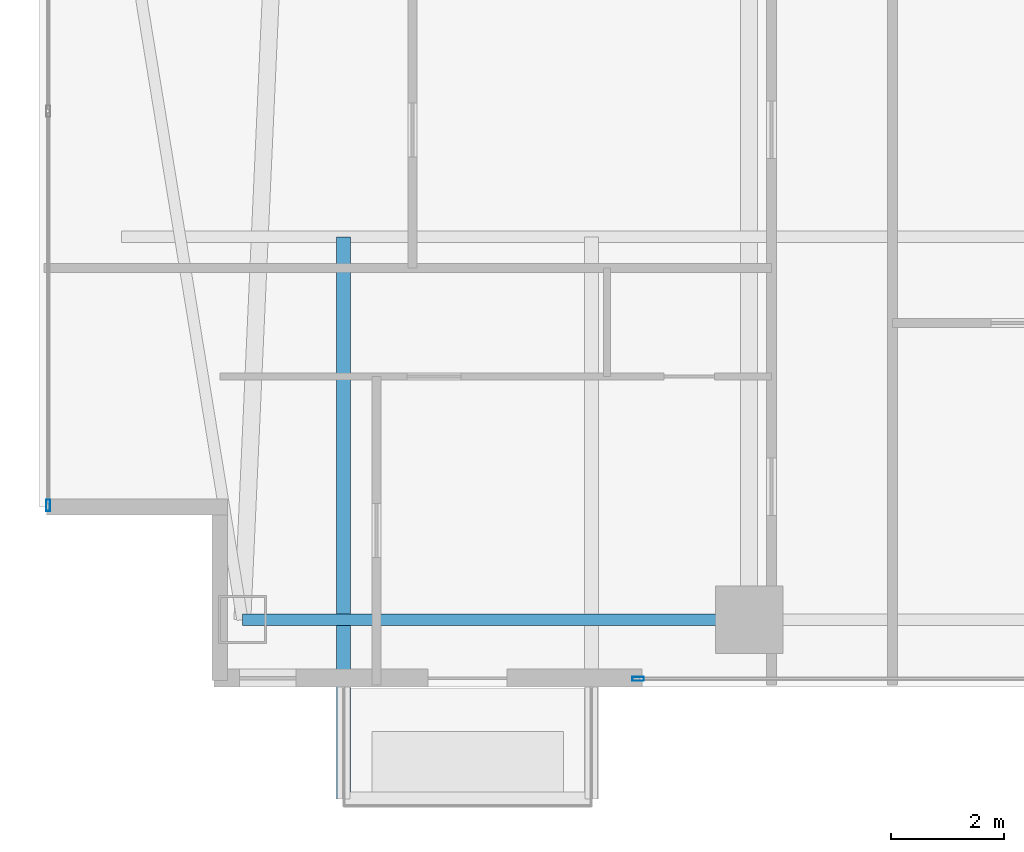
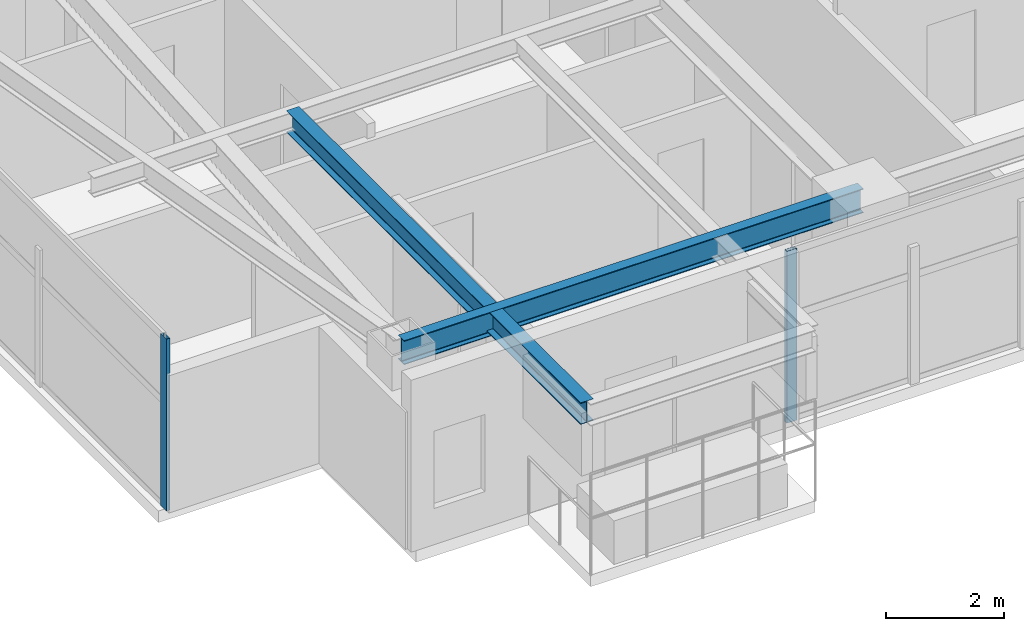
# One storey, part 2 of 29: 2 beams, 2 members, 2 elements without a shape of their own.
"""IFC4 building model written with IfcOpenShell, lengths in metres."""

from ifc_helpers import new_model, si_unit, direction, frame, origin, origin_2d, place, context, subcontext, project, spatial, hollow_rectangle, i_section, extrude, material, layer, layer_set, material_profile, profile_set, type_object, element, aggregate, save


model = new_model("IFC4")

# Units and contexts
model_context = context("Model", 3, precision=1e-05, world=origin(), true_north=direction((0.0, 1.0)))
body_context = subcontext(model_context, "Body", "Model", "MODEL_VIEW")
ifc_project = project(units=[si_unit("LENGTHUNIT", "METRE"), si_unit("AREAUNIT", "SQUARE_METRE"), si_unit("VOLUMEUNIT", "CUBIC_METRE"), si_unit("PLANEANGLEUNIT", "RADIAN"), si_unit("MASSUNIT", "GRAM", prefix="KILO")], contexts=[model_context])

# Site, building, storey
site_placement = place(None, origin())
site = spatial("IfcSite", under=ifc_project, at=site_placement, CompositionType="ELEMENT")
building_placement = place(site_placement, origin())
building = spatial("IfcBuilding", under=site, at=building_placement, Name="Calvorn Quay Hotel", CompositionType="ELEMENT")
storey_placement = place(building_placement, frame((0.0, 0.0, 120.199951171875)))
storey = spatial("IfcBuildingStorey", under=building, at=storey_placement, Name="L29", CompositionType="ELEMENT", Elevation=120.199951171875)

# Beams
ifc_material_1 = material(Name="Steel Q355B", Category="steel")
ifc_material_profile_1 = material_profile(ifc_material_1, i_section(OverallWidth=0.25, OverallDepth=0.449951171875, WebThickness=0.011962890625, FlangeThickness=0.01611328125, FilletRadius=0.01611328125, at=origin_2d()), Name="HN450x250x12x16")
ifc_profile_set_1 = profile_set([ifc_material_profile_1], Name="Steel Q355B")
beam_type_1 = type_object("IfcBeamType", Name="BM-CANT-BALC", PredefinedType="BEAM", material=ifc_profile_set_1)
beam_1_placement = place(storey_placement, frame((5.39990234375, 10.39990234375, 3.31494140625), z_axis=(0.0, -1.0, 0.0), x_axis=(1.0, 0.0, 0.0)))
element("IfcBeam", 1, at=beam_1_placement, inside=storey, type_object=beam_type_1, Name="Cantilever Balcony Beam BCB-L30-2A", PredefinedType="BEAM", context=body_context, shape_type="SweptSolid", body=[
    extrude(i_section(OverallWidth=0.25, OverallDepth=0.449951171875, WebThickness=0.011962890625, FlangeThickness=0.01611328125, FilletRadius=0.01611328125, at=origin_2d()), origin(), (0.0, 0.0, 1.0), 9.989990234375),
])
ifc_material_2 = material(Name="Steel Q355B", Category="steel")
ifc_material_profile_2 = material_profile(ifc_material_2, i_section(OverallWidth=0.199951171875, OverallDepth=0.5, WebThickness=0.010009765625, FlangeThickness=0.01611328125, FilletRadius=0.01611328125, at=origin_2d()), Name="HN500x200x10x16")
ifc_profile_set_2 = profile_set([ifc_material_profile_2], Name="Steel Q355B")
beam_type_2 = type_object("IfcBeamType", Name="BM-SPANDREL-Z1", PredefinedType="SPANDREL", material=ifc_profile_set_2)
beam_2_placement = place(storey_placement, frame((3.60009765625, 3.60009765625, 3.2900390625), z_axis=(1.0, 0.0, 0.0), x_axis=(0.0, 1.0, 0.0)))
element("IfcBeam", 2, at=beam_2_placement, inside=storey, type_object=beam_type_2, Name="Beam BSP-L29-S1", PredefinedType="SPANDREL", context=body_context, shape_type="SweptSolid", body=[
    extrude(i_section(OverallWidth=0.199951171875, OverallDepth=0.5, WebThickness=0.010009765625, FlangeThickness=0.01611328125, FilletRadius=0.01611328125, at=origin_2d()), origin(), (0.0, 0.0, 1.0), 9.0),
])

# Curtain wall, member
ifc_material_3 = material(Name="Pale Anodised Aluminium and Low-E Glass", Category="aluminium")
ifc_layer = layer(ifc_material_3, 0.219970703125)
ifc_layer_set = layer_set([ifc_layer], Name="CW-SYS-Z2")
curtain_wall_type = type_object("IfcCurtainWallType", Name="CW-SYS-Z2", PredefinedType="NOTDEFINED", material=ifc_layer_set)
curtain_wall_1_placement = place(storey_placement, origin())
curtain_wall_1 = element("IfcCurtainWall", 3, at=curtain_wall_1_placement, inside=storey, type_object=curtain_wall_type, Name="Tower West Curtain Wall (L29)", PredefinedType="NOTDEFINED")
ifc_material_4 = material(Name="Pale Anodised Aluminium 6063-T6", Category="aluminium")
ifc_material_profile_3 = material_profile(ifc_material_4, hollow_rectangle(XDim=0.070068359375, YDim=0.199951171875, WallThickness=0.00390625, at=origin_2d()), Name="ALU-M200x70x4")
ifc_profile_set_3 = profile_set([ifc_material_profile_3], Name="Pale Anodised Aluminium 6063-T6")
member_type = type_object("IfcMemberType", Name="CW-SYS-Z2-MUL", PredefinedType="MULLION", material=ifc_profile_set_3)
member_1_placement = place(storey_placement, frame((0.14990234375, 5.6298828125, 0.0), z_axis=(0.0, 0.0, 1.0), x_axis=(-1.0, 0.0, 0.0)))
member_1 = element("IfcMember", 4, at=member_1_placement, type_object=member_type, Name="CW-L29-W mullion 1", PredefinedType="MULLION", context=body_context, shape_type="SweptSolid", body=[
    extrude(hollow_rectangle(XDim=0.070068359375, YDim=0.199951171875, WallThickness=0.00390625, at=origin_2d()), origin(), (0.0, 0.0, 1.0), 3.56005859375),
])
aggregate(curtain_wall_1, [member_1])

curtain_wall_2_placement = place(storey_placement, origin())
curtain_wall_2 = element("IfcCurtainWall", 5, at=curtain_wall_2_placement, inside=storey, type_object=curtain_wall_type, Name="Tower South Waterfront Curtain Wall (L29)", PredefinedType="NOTDEFINED")
member_2_placement = place(storey_placement, frame((10.6298828125, 2.550048828125, 0.0), z_axis=(0.0, 0.0, 1.0), x_axis=(0.0, 1.0, 0.0)))
member_2 = element("IfcMember", 6, at=member_2_placement, type_object=member_type, Name="CW-L29-S mullion 1", PredefinedType="MULLION", context=body_context, shape_type="SweptSolid", body=[
    extrude(hollow_rectangle(XDim=0.070068359375, YDim=0.199951171875, WallThickness=0.00390625, at=origin_2d()), origin(), (0.0, 0.0, 1.0), 3.56005859375),
])
aggregate(curtain_wall_2, [member_2])

save(model, "model.ifc")
